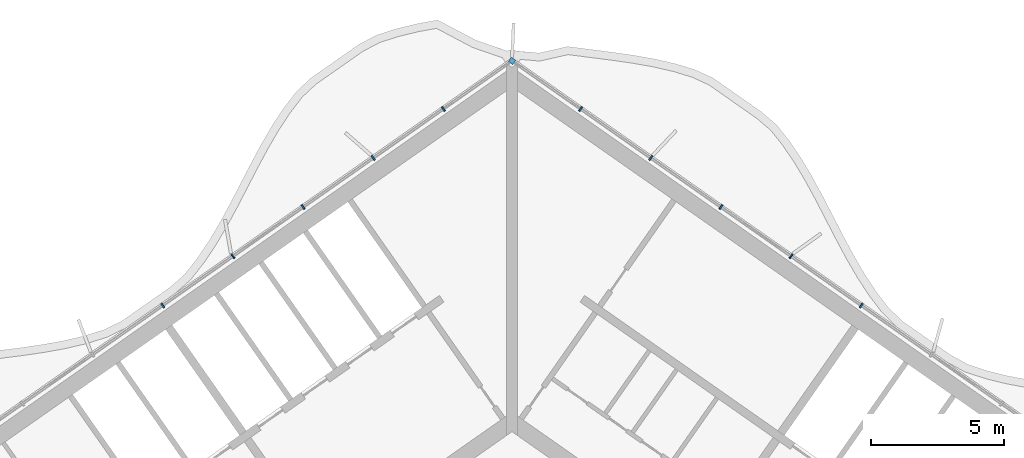
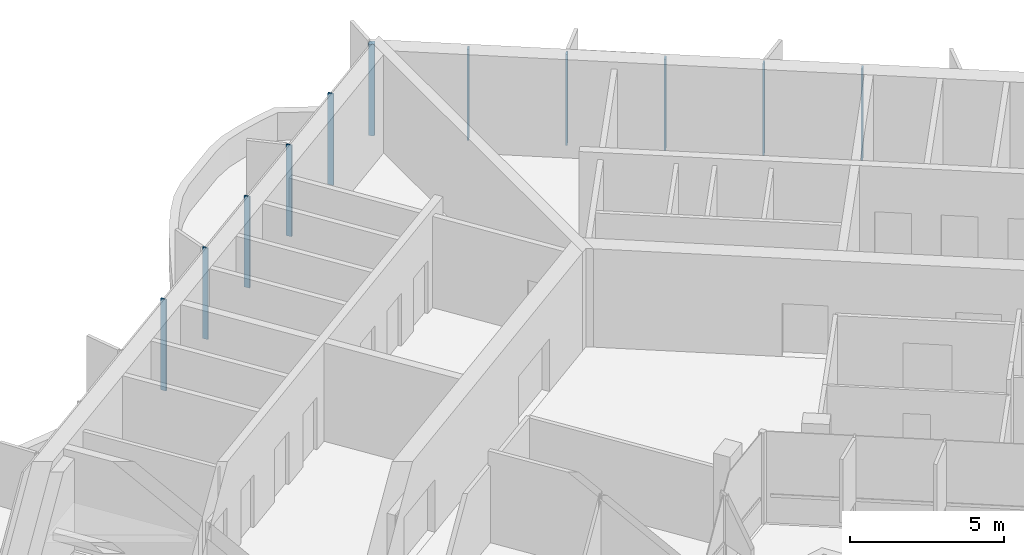
# One storey, part 7 of 20: 11 members, 1 element without a shape of its own.
"""IFC4 building model written with IfcOpenShell, lengths in metres."""

from ifc_helpers import new_model, si_unit, direction, frame, origin, origin_2d, place, context, subcontext, project, spatial, rectangle, extrude, material, material_profile, profile_set, type_object, element, aggregate, save


model = new_model("IFC4")

# Units and contexts
model_context = context("Model", 3, precision=1e-05, world=origin(), true_north=direction((0.0, 1.0)))
body_context = subcontext(model_context, "Body", "Model", "MODEL_VIEW")
ifc_project = project(units=[si_unit("LENGTHUNIT", "METRE"), si_unit("AREAUNIT", "SQUARE_METRE"), si_unit("VOLUMEUNIT", "CUBIC_METRE"), si_unit("PLANEANGLEUNIT", "RADIAN"), si_unit("MASSUNIT", "GRAM", prefix="KILO")], contexts=[model_context])

# Site, building, storey
site_placement = place(None, origin())
site = spatial("IfcSite", under=ifc_project, at=site_placement, CompositionType="ELEMENT")
building_placement = place(site_placement, origin())
building = spatial("IfcBuilding", under=site, at=building_placement, Name="Tel Ilan Convention Tower", CompositionType="ELEMENT")
storey_placement = place(building_placement, frame((0.0, 0.0, 244.89990234375)))
storey = spatial("IfcBuildingStorey", under=building, at=storey_placement, Name="L57", CompositionType="ELEMENT", Elevation=244.89990234375)

# Curtain wall, members
ifc_material_1 = material(Name="Aluminium, bronze anodised", Category="aluminium")
curtain_wall_type = type_object("IfcCurtainWallType", Name="CW2 STICK CURTAIN WALL, SPANDREL PANELS", PredefinedType="NOTDEFINED", material=ifc_material_1)
curtain_wall_placement = place(storey_placement, origin())
curtain_wall = element("IfcCurtainWall", 1, at=curtain_wall_placement, inside=storey, type_object=curtain_wall_type, Name="Curtain wall CW2-44.01", PredefinedType="NOTDEFINED")
ifc_material_2 = material(Name="Aluminium, bronze anodised", Category="aluminium")
ifc_material_profile_1 = material_profile(ifc_material_2, rectangle(XDim=0.199951171875, YDim=0.199951171875, at=origin_2d()), Name="CW CORNER MULLION 200x200")
ifc_profile_set_1 = profile_set([ifc_material_profile_1], Name="Aluminium, bronze anodised")
member_type_1 = type_object("IfcMemberType", Name="CW CORNER MULLION 200x200", PredefinedType="MULLION", material=ifc_profile_set_1)
member_1_placement = place(storey_placement, frame((0.0, 12.696044921875, 0.0), z_axis=(0.0, 0.0, 1.0), x_axis=(-0.819152044289, 0.573576436351, 0.0)))
member_1 = element("IfcMember", 2, at=member_1_placement, type_object=member_type_1, Name="Corner mullion", PredefinedType="MULLION", context=body_context, shape_type="SweptSolid", body=[
    extrude(rectangle(XDim=0.199951171875, YDim=0.199951171875, at=origin_2d()), origin(), (0.0, 0.0, 1.0), 3.6201171875),
])
ifc_material_3 = material(Name="Aluminium, bronze anodised", Category="aluminium")
ifc_material_profile_2 = material_profile(ifc_material_3, rectangle(XDim=0.06005859375, YDim=0.199951171875, at=origin_2d()), Name="CW MULLION 60x200")
ifc_profile_set_2 = profile_set([ifc_material_profile_2], Name="Aluminium, bronze anodised")
member_type_2 = type_object("IfcMemberType", Name="CW MULLION 60x200", PredefinedType="MULLION", material=ifc_profile_set_2)
member_2_placement = place(storey_placement, frame((13.105712890625, 3.519287109375, 0.0), z_axis=(0.0, 0.0, 1.0), x_axis=(-0.819152044289, 0.573576436351, 0.0)))
member_2 = element("IfcMember", 3, at=member_2_placement, type_object=member_type_2, Name="Mullion", PredefinedType="MULLION", context=body_context, shape_type="SweptSolid", body=[
    extrude(rectangle(XDim=0.06005859375, YDim=0.199951171875, at=origin_2d()), origin(), (0.0, 0.0, 1.0), 3.6201171875),
])
member_3_placement = place(storey_placement, frame((10.47314453125, 5.36279296875, 0.0), z_axis=(0.0, 0.0, 1.0), x_axis=(-0.819152044289, 0.573576436351, 0.0)))
member_3 = element("IfcMember", 4, at=member_3_placement, type_object=member_type_2, Name="Mullion", PredefinedType="MULLION", context=body_context, shape_type="SweptSolid", body=[
    extrude(rectangle(XDim=0.06005859375, YDim=0.199951171875, at=origin_2d()), origin(), (0.0, 0.0, 1.0), 3.6201171875),
])
member_4_placement = place(storey_placement, frame((7.840576171875, 7.2060546875, 0.0), z_axis=(0.0, 0.0, 1.0), x_axis=(-0.819152044289, 0.573576436351, 0.0)))
member_4 = element("IfcMember", 5, at=member_4_placement, type_object=member_type_2, Name="Mullion", PredefinedType="MULLION", context=body_context, shape_type="SweptSolid", body=[
    extrude(rectangle(XDim=0.06005859375, YDim=0.199951171875, at=origin_2d()), origin(), (0.0, 0.0, 1.0), 3.6201171875),
])
member_5_placement = place(storey_placement, frame((5.207763671875, 9.049560546875, 0.0), z_axis=(0.0, 0.0, 1.0), x_axis=(-0.819152044289, 0.573576436351, 0.0)))
member_5 = element("IfcMember", 6, at=member_5_placement, type_object=member_type_2, Name="Mullion", PredefinedType="MULLION", context=body_context, shape_type="SweptSolid", body=[
    extrude(rectangle(XDim=0.06005859375, YDim=0.199951171875, at=origin_2d()), origin(), (0.0, 0.0, 1.0), 3.6201171875),
])
member_6_placement = place(storey_placement, frame((2.5751953125, 10.892822265625, 0.0), z_axis=(0.0, 0.0, 1.0), x_axis=(-0.819152044289, 0.573576436351, 0.0)))
member_6 = element("IfcMember", 7, at=member_6_placement, type_object=member_type_2, Name="Mullion", PredefinedType="MULLION", context=body_context, shape_type="SweptSolid", body=[
    extrude(rectangle(XDim=0.06005859375, YDim=0.199951171875, at=origin_2d()), origin(), (0.0, 0.0, 1.0), 3.6201171875),
])
member_7_placement = place(storey_placement, frame((-2.5751953125, 10.892822265625, 0.0), z_axis=(0.0, 0.0, 1.0), x_axis=(-0.819152044289, -0.573576436351, 0.0)))
member_7 = element("IfcMember", 8, at=member_7_placement, type_object=member_type_2, Name="Mullion", PredefinedType="MULLION", context=body_context, shape_type="SweptSolid", body=[
    extrude(rectangle(XDim=0.06005859375, YDim=0.199951171875, at=origin_2d()), origin(), (0.0, 0.0, 1.0), 3.6201171875),
])
member_8_placement = place(storey_placement, frame((-5.207763671875, 9.049560546875, 0.0), z_axis=(0.0, 0.0, 1.0), x_axis=(-0.819152044289, -0.573576436351, 0.0)))
member_8 = element("IfcMember", 9, at=member_8_placement, type_object=member_type_2, Name="Mullion", PredefinedType="MULLION", context=body_context, shape_type="SweptSolid", body=[
    extrude(rectangle(XDim=0.06005859375, YDim=0.199951171875, at=origin_2d()), origin(), (0.0, 0.0, 1.0), 3.6201171875),
])
member_9_placement = place(storey_placement, frame((-7.840576171875, 7.2060546875, 0.0), z_axis=(0.0, 0.0, 1.0), x_axis=(-0.819152044289, -0.573576436351, 0.0)))
member_9 = element("IfcMember", 10, at=member_9_placement, type_object=member_type_2, Name="Mullion", PredefinedType="MULLION", context=body_context, shape_type="SweptSolid", body=[
    extrude(rectangle(XDim=0.06005859375, YDim=0.199951171875, at=origin_2d()), origin(), (0.0, 0.0, 1.0), 3.6201171875),
])
member_10_placement = place(storey_placement, frame((-10.47314453125, 5.36279296875, 0.0), z_axis=(0.0, 0.0, 1.0), x_axis=(-0.819152044289, -0.573576436351, 0.0)))
member_10 = element("IfcMember", 11, at=member_10_placement, type_object=member_type_2, Name="Mullion", PredefinedType="MULLION", context=body_context, shape_type="SweptSolid", body=[
    extrude(rectangle(XDim=0.06005859375, YDim=0.199951171875, at=origin_2d()), origin(), (0.0, 0.0, 1.0), 3.6201171875),
])
member_11_placement = place(storey_placement, frame((-13.105712890625, 3.519287109375, 0.0), z_axis=(0.0, 0.0, 1.0), x_axis=(-0.819152044289, -0.573576436351, 0.0)))
member_11 = element("IfcMember", 12, at=member_11_placement, type_object=member_type_2, Name="Mullion", PredefinedType="MULLION", context=body_context, shape_type="SweptSolid", body=[
    extrude(rectangle(XDim=0.06005859375, YDim=0.199951171875, at=origin_2d()), origin(), (0.0, 0.0, 1.0), 3.6201171875),
])
aggregate(curtain_wall, [member_2, member_3, member_4, member_5, member_6, member_1, member_7, member_8, member_9, member_10, member_11])

save(model, "model.ifc")
